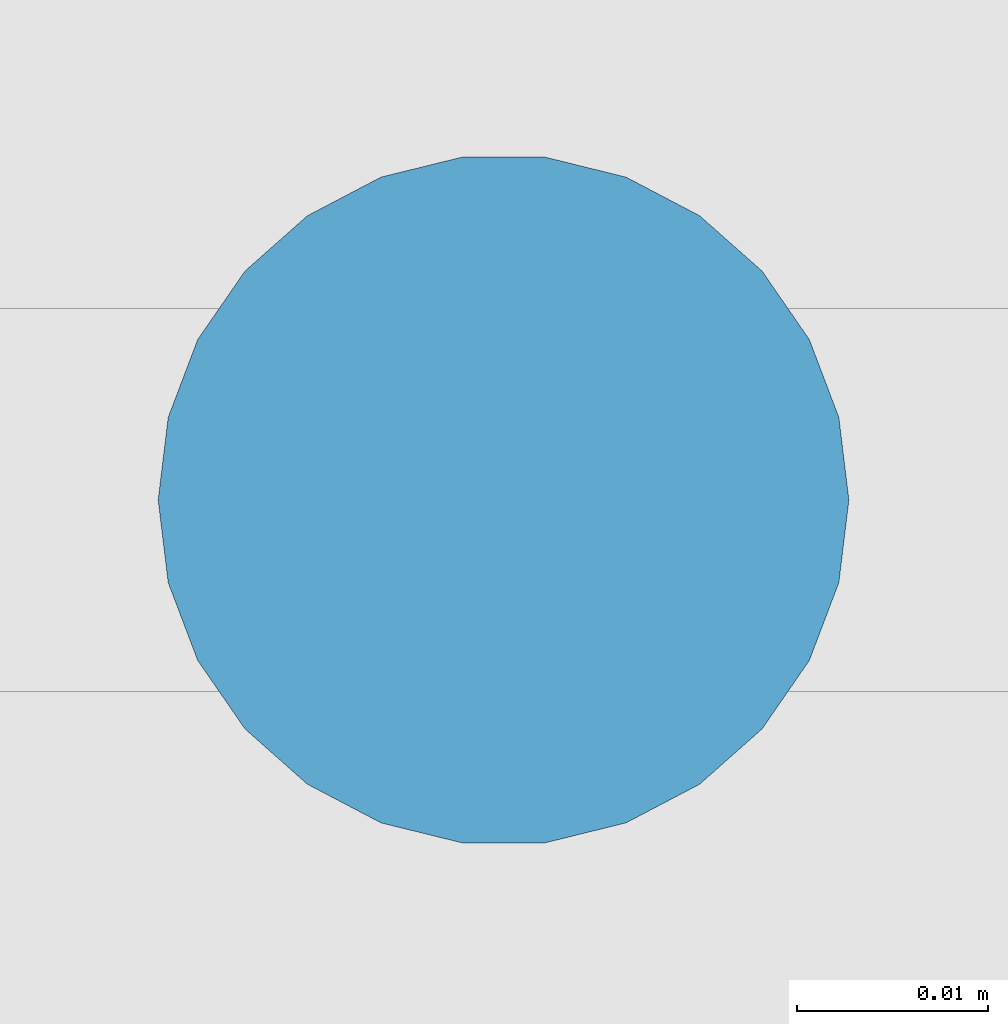
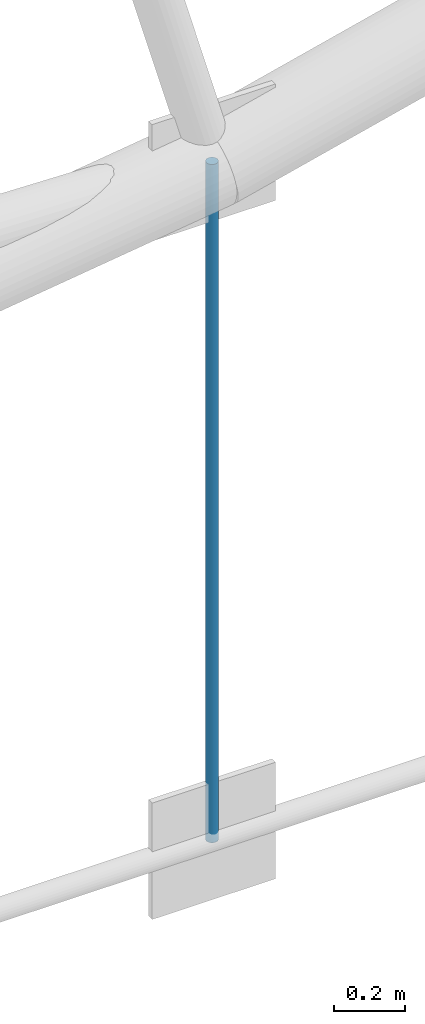
# One storey, part 74 of 321: 1 member.
"""IFC4 building model written with IfcOpenShell, lengths in metres."""

from ifc_helpers import new_model, si_unit, direction, frame, origin, origin_2d, place, context, subcontext, project, spatial, circle, extrude, material, material_profile, profile_set, type_object, element, save


model = new_model("IFC4")

# Units and contexts
model_context = context("Model", 3, precision=1e-05, world=origin(), true_north=direction((0.0, 1.0)))
body_context = subcontext(model_context, "Body", "Model", "MODEL_VIEW")
ifc_project = project(units=[si_unit("LENGTHUNIT", "METRE"), si_unit("AREAUNIT", "SQUARE_METRE"), si_unit("VOLUMEUNIT", "CUBIC_METRE"), si_unit("PLANEANGLEUNIT", "RADIAN"), si_unit("MASSUNIT", "GRAM", prefix="KILO")], contexts=[model_context])

# Site, building, storey
site_placement = place(None, origin())
site = spatial("IfcSite", under=ifc_project, at=site_placement, CompositionType="ELEMENT")
building_placement = place(site_placement, origin())
building = spatial("IfcBuilding", under=site, at=building_placement, Name="Ravi Spectrum Wholesale Market", CompositionType="ELEMENT")
storey_placement = place(building_placement, frame((0.0, 0.0, 10.800048828125)))
storey = spatial("IfcBuildingStorey", under=building, at=storey_placement, Name="L02", CompositionType="ELEMENT", Elevation=10.800048828125)

# Member
ifc_material = material(Name="Steel S355", Category="steel")
ifc_material_profile = material_profile(ifc_material, circle(Radius=0.01806640625, at=origin_2d()))
ifc_profile_set = profile_set([ifc_material_profile], Name="Steel S355")
member_type = type_object("IfcMemberType", Name="ROD 36 hanger", PredefinedType="STRUT", material=ifc_profile_set)
member_placement = place(storey_placement, frame((43.55029296875, 114.0, 0.023193359375), z_axis=(0.0, 0.0, 1.0), x_axis=(1.0, 0.0, 0.0)))
element("IfcMember", 1, at=member_placement, inside=storey, type_object=member_type, Name="H1-MB-L02-644", PredefinedType="STRUT", context=body_context, shape_type="SweptSolid", body=[
    extrude(circle(Radius=0.01806640625, at=origin_2d()), origin(), (0.0, 0.0, 1.0), 2.328857421875),
])

save(model, "model.ifc")
